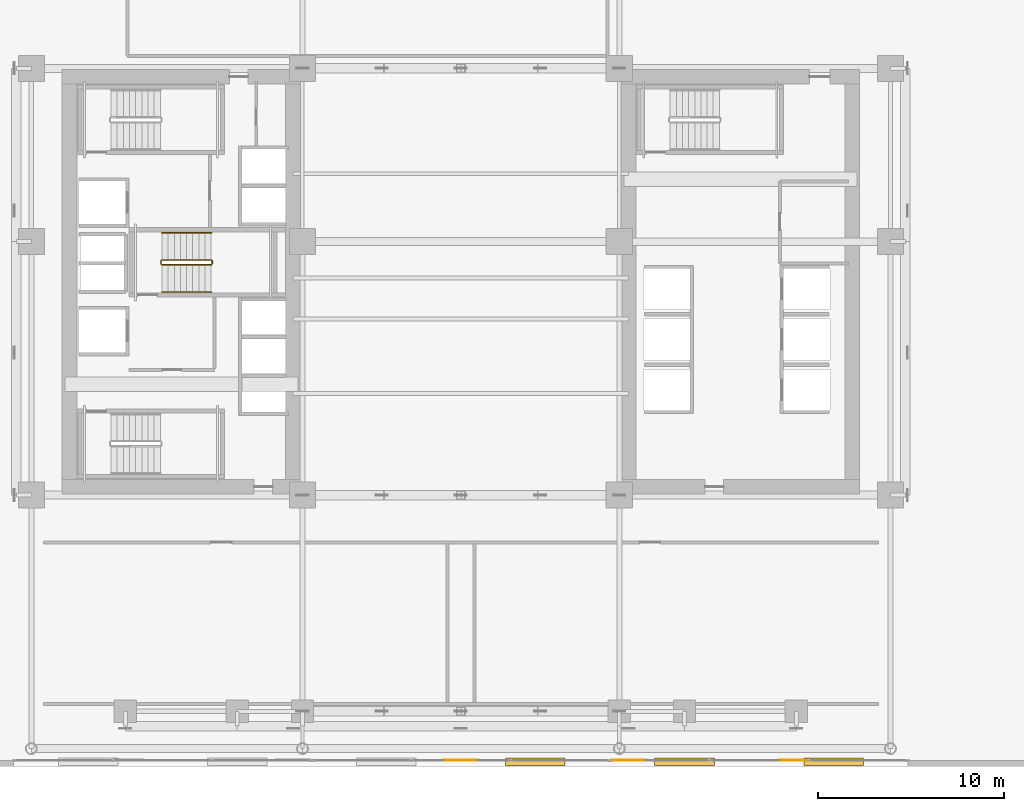
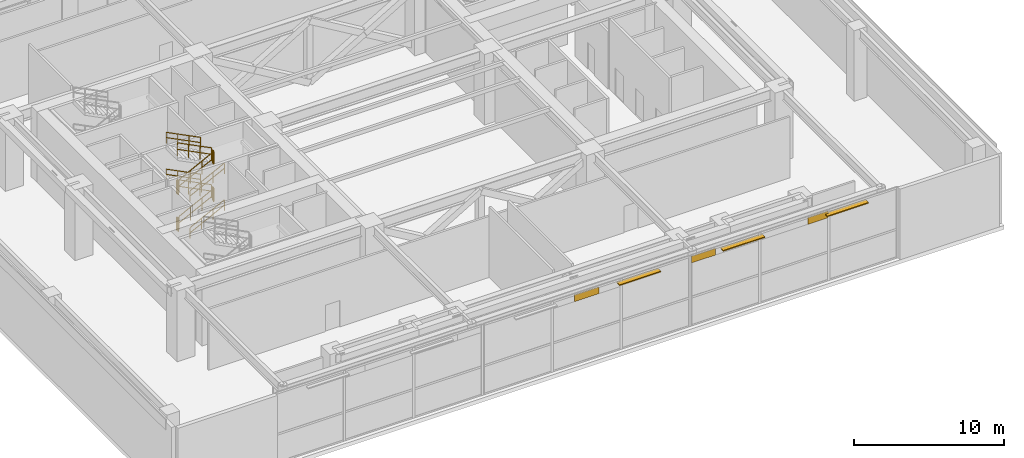
# One storey, part 27 of 29: 12 railings, 3 shading devices, 2 coverings.
"""IFC4 building model written with IfcOpenShell, lengths in metres."""

from ifc_helpers import new_model, si_unit, direction, frame, origin, origin_2d, place, context, subcontext, project, spatial, rectangle, extrude, source, transform, mapped, material, layer, layer_set, type_object, element, save


model = new_model("IFC4")

# Units and contexts
model_context = context("Model", 3, precision=1e-05, world=origin(), true_north=direction((0.0, 1.0)))
body_context = subcontext(model_context, "Body", "Model", "MODEL_VIEW")
ifc_project = project(units=[si_unit("LENGTHUNIT", "METRE"), si_unit("AREAUNIT", "SQUARE_METRE"), si_unit("VOLUMEUNIT", "CUBIC_METRE"), si_unit("PLANEANGLEUNIT", "RADIAN"), si_unit("MASSUNIT", "GRAM", prefix="KILO")], contexts=[model_context])

# Site, building, storey
site_placement = place(None, origin())
site = spatial("IfcSite", under=ifc_project, at=site_placement, CompositionType="ELEMENT")
building_placement = place(site_placement, origin())
building = spatial("IfcBuilding", under=site, at=building_placement, Name="Ocotamira Hotel", CompositionType="ELEMENT")
storey_placement = place(building_placement, frame((0.0, 0.0, 28.800048828125)))
storey = spatial("IfcBuildingStorey", under=building, at=storey_placement, Name="L06", CompositionType="ELEMENT", Elevation=28.800048828125)

# Coverings
ifc_material_1 = material(Name="Insulated pale-metal aluminium spandrel panel", Category="aluminium")
ifc_layer = layer(ifc_material_1, 0.044921875)
ifc_layer_set = layer_set([ifc_layer], Name="Insulated pale-metal aluminium spandrel panel")
covering_type = type_object("IfcCoveringType", Name="COV-INFILL-45", PredefinedType="CLADDING", material=ifc_layer_set)
covering_1_placement = place(storey_placement, origin())
element("IfcCovering", 1, at=covering_1_placement, inside=storey, type_object=covering_type, Name="L06 Curtain Wall Infill CW-5 CW-L06-S2", PredefinedType="CLADDING", context=body_context, shape_type="SweptSolid", body=[
    extrude(rectangle(XDim=1.877197265625, YDim=0.044921875, at=origin_2d()), frame((32.0, 0.320068359375, 5.133544921875), z_axis=(0.0, 0.0, 1.0), x_axis=(1.0, 0.0, 0.0)), (0.0, 0.0, 1.0), 0.541015625),
])
covering_2_placement = place(storey_placement, origin())
element("IfcCovering", 2, at=covering_2_placement, inside=storey, type_object=covering_type, Name="L06 Curtain Wall Infill CW-5 CW-L06-S3", PredefinedType="CLADDING", context=body_context, shape_type="SweptSolid", body=[
    extrude(rectangle(XDim=1.858154296875, YDim=0.044921875, at=origin_2d()), frame((41.009521484375, 0.320068359375, 5.133544921875), z_axis=(0.0, 0.0, 1.0), x_axis=(1.0, 0.0, 0.0)), (0.0, 0.0, 1.0), 0.541015625),
    extrude(rectangle(XDim=1.564697265625, YDim=0.044921875, at=origin_2d()), frame((49.84375, 0.320068359375, 5.133544921875), z_axis=(0.0, 0.0, 1.0), x_axis=(1.0, 0.0, 0.0)), (0.0, 0.0, 1.0), 0.541015625),
])

# Railings
ifc_material_2 = material(Name="Brushed stainless steel handrail", Category="steel")
railing_type_1 = type_object("IfcRailingType", Name="RL-HAND-900", PredefinedType="HANDRAIL", material=ifc_material_2)
railing_1_placement = place(storey_placement, frame((15.9599609375, 25.449951171875, 0.333251953125)))
element("IfcRailing", 3, at=railing_1_placement, inside=storey, type_object=railing_type_1, Name="L06 ST-3 stair handrail 1", PredefinedType="HANDRAIL", context=body_context, shape_type="SweptSolid", body=[
    extrude(rectangle(XDim=0.048095703125, YDim=0.048095703125, at=origin_2d()), frame((0.0, 0.0, 0.8759765625), z_axis=(0.892637119617, 0.0, 0.450775967286), x_axis=(0.0, 1.0, 0.0)), (0.0, 0.0, 1.0), 2.957763671875),
    extrude(rectangle(XDim=0.048095703125, YDim=0.048095703125, at=origin_2d()), frame((0.0, 0.0, 0.449951171875), z_axis=(0.892637119617, 0.0, 0.450775967286), x_axis=(0.0, 1.0, 0.0)), (0.0, 0.0, 1.0), 2.957763671875),
    extrude(rectangle(XDim=0.0419921875, YDim=0.0419921875, at=origin_2d()), origin(), (0.0, 0.0, 1.0), 0.851806640625),
    extrude(rectangle(XDim=0.0419921875, YDim=0.0419921875, at=origin_2d()), frame((0.880126953125, 0.0, 0.4443359375)), (0.0, 0.0, 1.0), 0.851806640625),
    extrude(rectangle(XDim=0.0419921875, YDim=0.0419921875, at=origin_2d()), frame((1.760009765625, 0.0, 0.888916015625)), (0.0, 0.0, 1.0), 0.851806640625),
    extrude(rectangle(XDim=0.0419921875, YDim=0.0419921875, at=origin_2d()), frame((2.64013671875, 0.0, 1.333251953125)), (0.0, 0.0, 1.0), 0.851806640625),
])
railing_2_placement = place(storey_placement, frame((18.60009765625, 28.6298828125, 1.833251953125)))
element("IfcRailing", 4, at=railing_2_placement, inside=storey, type_object=railing_type_1, Name="L06 ST-3 stair handrail 2", PredefinedType="HANDRAIL", context=body_context, shape_type="SweptSolid", body=[
    extrude(rectangle(XDim=0.048095703125, YDim=0.048095703125, at=origin_2d()), frame((0.0, 0.0, 0.8759765625), z_axis=(-0.892637119617, 0.0, 0.450775967286), x_axis=(0.0, -1.0, 0.0)), (0.0, 0.0, 1.0), 2.957763671875),
    extrude(rectangle(XDim=0.048095703125, YDim=0.048095703125, at=origin_2d()), frame((0.0, 0.0, 0.449951171875), z_axis=(-0.892637119617, 0.0, 0.450775967286), x_axis=(0.0, -1.0, 0.0)), (0.0, 0.0, 1.0), 2.957763671875),
    extrude(rectangle(XDim=0.0419921875, YDim=0.0419921875, at=origin_2d()), origin(), (0.0, 0.0, 1.0), 0.851806640625),
    extrude(rectangle(XDim=0.0419921875, YDim=0.0419921875, at=origin_2d()), frame((-0.880126953125, 0.0, 0.4443359375)), (0.0, 0.0, 1.0), 0.851806640625),
    extrude(rectangle(XDim=0.0419921875, YDim=0.0419921875, at=origin_2d()), frame((-1.760009765625, 0.0, 0.888916015625)), (0.0, 0.0, 1.0), 0.851806640625),
    extrude(rectangle(XDim=0.0419921875, YDim=0.0419921875, at=origin_2d()), frame((-2.64013671875, 0.0, 1.333251953125)), (0.0, 0.0, 1.0), 0.851806640625),
])
railing_3_placement = place(storey_placement, frame((15.9599609375, 25.449951171875, 3.333251953125)))
element("IfcRailing", 5, at=railing_3_placement, inside=storey, type_object=railing_type_1, Name="L06 ST-3 stair handrail 3", PredefinedType="HANDRAIL", context=body_context, shape_type="SweptSolid", body=[
    extrude(rectangle(XDim=0.048095703125, YDim=0.048095703125, at=origin_2d()), frame((0.0, 0.0, 0.8759765625), z_axis=(0.892637119617, 0.0, 0.450775967286), x_axis=(0.0, 1.0, 0.0)), (0.0, 0.0, 1.0), 2.957763671875),
    extrude(rectangle(XDim=0.048095703125, YDim=0.048095703125, at=origin_2d()), frame((0.0, 0.0, 0.449951171875), z_axis=(0.892637119617, 0.0, 0.450775967286), x_axis=(0.0, 1.0, 0.0)), (0.0, 0.0, 1.0), 2.957763671875),
    extrude(rectangle(XDim=0.0419921875, YDim=0.0419921875, at=origin_2d()), origin(), (0.0, 0.0, 1.0), 0.851806640625),
    extrude(rectangle(XDim=0.0419921875, YDim=0.0419921875, at=origin_2d()), frame((0.880126953125, 0.0, 0.4443359375)), (0.0, 0.0, 1.0), 0.851806640625),
    extrude(rectangle(XDim=0.0419921875, YDim=0.0419921875, at=origin_2d()), frame((1.760009765625, 0.0, 0.888916015625)), (0.0, 0.0, 1.0), 0.851806640625),
    extrude(rectangle(XDim=0.0419921875, YDim=0.0419921875, at=origin_2d()), frame((2.64013671875, 0.0, 1.333251953125)), (0.0, 0.0, 1.0), 0.851806640625),
])
railing_4_placement = place(storey_placement, frame((18.60009765625, 28.6298828125, 4.833251953125)))
element("IfcRailing", 6, at=railing_4_placement, inside=storey, type_object=railing_type_1, Name="L06 ST-3 stair handrail 4", PredefinedType="HANDRAIL", context=body_context, shape_type="SweptSolid", body=[
    extrude(rectangle(XDim=0.048095703125, YDim=0.048095703125, at=origin_2d()), frame((0.0, 0.0, 0.8759765625), z_axis=(-0.892637119617, 0.0, 0.450775967286), x_axis=(0.0, -1.0, 0.0)), (0.0, 0.0, 1.0), 2.957763671875),
    extrude(rectangle(XDim=0.048095703125, YDim=0.048095703125, at=origin_2d()), frame((0.0, 0.0, 0.449951171875), z_axis=(-0.892637119617, 0.0, 0.450775967286), x_axis=(0.0, -1.0, 0.0)), (0.0, 0.0, 1.0), 2.957763671875),
    extrude(rectangle(XDim=0.0419921875, YDim=0.0419921875, at=origin_2d()), origin(), (0.0, 0.0, 1.0), 0.851806640625),
    extrude(rectangle(XDim=0.0419921875, YDim=0.0419921875, at=origin_2d()), frame((-0.880126953125, 0.0, 0.4443359375)), (0.0, 0.0, 1.0), 0.851806640625),
    extrude(rectangle(XDim=0.0419921875, YDim=0.0419921875, at=origin_2d()), frame((-1.760009765625, 0.0, 0.888916015625)), (0.0, 0.0, 1.0), 0.851806640625),
    extrude(rectangle(XDim=0.0419921875, YDim=0.0419921875, at=origin_2d()), frame((-2.64013671875, 0.0, 1.333251953125)), (0.0, 0.0, 1.0), 0.851806640625),
])
ifc_material_3 = material(Name="Painted steel stair guardrail", Category="steel")
railing_type_2 = type_object("IfcRailingType", Name="RL-STAIR-1100", PredefinedType="GUARDRAIL", material=ifc_material_3)
railing_5_placement = place(storey_placement, frame((15.9599609375, 26.909912109375, 0.16650390625)))
element("IfcRailing", 7, at=railing_5_placement, inside=storey, type_object=railing_type_2, Name="L06 ST-3 stair guard 1", PredefinedType="GUARDRAIL", context=body_context, shape_type="SweptSolid", body=[
    extrude(rectangle(XDim=0.048095703125, YDim=0.048095703125, at=origin_2d()), frame((0.0, 0.0, 1.076171875), z_axis=(0.892603904193, 0.0, 0.450841735223), x_axis=(0.0, 1.0, 0.0)), (0.0, 0.0, 1.0), 2.957763671875),
    extrude(rectangle(XDim=0.048095703125, YDim=0.048095703125, at=origin_2d()), frame((0.0, 0.0, 0.550048828125), z_axis=(0.892603904193, 0.0, 0.450841735223), x_axis=(0.0, 1.0, 0.0)), (0.0, 0.0, 1.0), 2.957763671875),
    extrude(rectangle(XDim=0.0419921875, YDim=0.0419921875, at=origin_2d()), origin(), (0.0, 0.0, 1.0), 1.052001953125),
    extrude(rectangle(XDim=0.0419921875, YDim=0.0419921875, at=origin_2d()), frame((0.880126953125, 0.0, 0.444580078125)), (0.0, 0.0, 1.0), 1.052001953125),
    extrude(rectangle(XDim=0.0419921875, YDim=0.0419921875, at=origin_2d()), frame((1.760009765625, 0.0, 0.888916015625)), (0.0, 0.0, 1.0), 1.052001953125),
    extrude(rectangle(XDim=0.0419921875, YDim=0.0419921875, at=origin_2d()), frame((2.64013671875, 0.0, 1.33349609375)), (0.0, 0.0, 1.0), 1.052001953125),
])
railing_6_placement = place(storey_placement, frame((18.64990234375, 26.9599609375, 1.5)))
element("IfcRailing", 8, at=railing_6_placement, inside=storey, type_object=railing_type_2, Name="L06 ST-3 stair guard 2", PredefinedType="GUARDRAIL", context=body_context, shape_type="SweptSolid", body=[
    extrude(rectangle(XDim=0.048095703125, YDim=0.048095703125, at=origin_2d()), frame((0.0, 0.0, 1.076171875), z_axis=(0.0, 1.0, 0.0), x_axis=(-1.0, 0.0, 0.0)), (0.0, 0.0, 1.0), 0.16015625),
    extrude(rectangle(XDim=0.048095703125, YDim=0.048095703125, at=origin_2d()), frame((0.0, 0.0, 0.550048828125), z_axis=(0.0, 1.0, 0.0), x_axis=(-1.0, 0.0, 0.0)), (0.0, 0.0, 1.0), 0.16015625),
    extrude(rectangle(XDim=0.0419921875, YDim=0.0419921875, at=origin_2d()), origin(), (0.0, 0.0, 1.0), 1.052001953125),
    extrude(rectangle(XDim=0.0419921875, YDim=0.0419921875, at=origin_2d()), frame((0.0, 0.16015625, 0.0)), (0.0, 0.0, 1.0), 1.052001953125),
])
railing_7_placement = place(storey_placement, frame((18.60009765625, 27.169921875, 1.66650390625)))
element("IfcRailing", 9, at=railing_7_placement, inside=storey, type_object=railing_type_2, Name="L06 ST-3 stair guard 3", PredefinedType="GUARDRAIL", context=body_context, shape_type="SweptSolid", body=[
    extrude(rectangle(XDim=0.048095703125, YDim=0.048095703125, at=origin_2d()), frame((0.0, 0.0, 1.076171875), z_axis=(-0.892603904193, 0.0, 0.450841735223), x_axis=(0.0, -1.0, 0.0)), (0.0, 0.0, 1.0), 2.957763671875),
    extrude(rectangle(XDim=0.048095703125, YDim=0.048095703125, at=origin_2d()), frame((0.0, 0.0, 0.550048828125), z_axis=(-0.892603904193, 0.0, 0.450841735223), x_axis=(0.0, -1.0, 0.0)), (0.0, 0.0, 1.0), 2.957763671875),
    extrude(rectangle(XDim=0.0419921875, YDim=0.0419921875, at=origin_2d()), origin(), (0.0, 0.0, 1.0), 1.052001953125),
    extrude(rectangle(XDim=0.0419921875, YDim=0.0419921875, at=origin_2d()), frame((-0.880126953125, 0.0, 0.444580078125)), (0.0, 0.0, 1.0), 1.052001953125),
    extrude(rectangle(XDim=0.0419921875, YDim=0.0419921875, at=origin_2d()), frame((-1.760009765625, 0.0, 0.888916015625)), (0.0, 0.0, 1.0), 1.052001953125),
    extrude(rectangle(XDim=0.0419921875, YDim=0.0419921875, at=origin_2d()), frame((-2.64013671875, 0.0, 1.33349609375)), (0.0, 0.0, 1.0), 1.052001953125),
])
railing_8_placement = place(storey_placement, frame((15.909912109375, 26.9599609375, 3.0)))
element("IfcRailing", 10, at=railing_8_placement, inside=storey, type_object=railing_type_2, Name="L06 ST-3 stair guard 4", PredefinedType="GUARDRAIL", context=body_context, shape_type="SweptSolid", body=[
    extrude(rectangle(XDim=0.048095703125, YDim=0.048095703125, at=origin_2d()), frame((0.0, 0.0, 1.076171875), z_axis=(0.0, 1.0, 0.0), x_axis=(-1.0, 0.0, 0.0)), (0.0, 0.0, 1.0), 0.16015625),
    extrude(rectangle(XDim=0.048095703125, YDim=0.048095703125, at=origin_2d()), frame((0.0, 0.0, 0.550048828125), z_axis=(0.0, 1.0, 0.0), x_axis=(-1.0, 0.0, 0.0)), (0.0, 0.0, 1.0), 0.16015625),
    extrude(rectangle(XDim=0.0419921875, YDim=0.0419921875, at=origin_2d()), origin(), (0.0, 0.0, 1.0), 1.052001953125),
    extrude(rectangle(XDim=0.0419921875, YDim=0.0419921875, at=origin_2d()), frame((0.0, 0.16015625, 0.0)), (0.0, 0.0, 1.0), 1.052001953125),
])
railing_9_placement = place(storey_placement, frame((15.9599609375, 26.909912109375, 3.16650390625)))
element("IfcRailing", 11, at=railing_9_placement, inside=storey, type_object=railing_type_2, Name="L06 ST-3 stair guard 5", PredefinedType="GUARDRAIL", context=body_context, shape_type="SweptSolid", body=[
    extrude(rectangle(XDim=0.048095703125, YDim=0.048095703125, at=origin_2d()), frame((0.0, 0.0, 1.076171875), z_axis=(0.892603904193, 0.0, 0.450841735223), x_axis=(0.0, 1.0, 0.0)), (0.0, 0.0, 1.0), 2.957763671875),
    extrude(rectangle(XDim=0.048095703125, YDim=0.048095703125, at=origin_2d()), frame((0.0, 0.0, 0.550048828125), z_axis=(0.892603904193, 0.0, 0.450841735223), x_axis=(0.0, 1.0, 0.0)), (0.0, 0.0, 1.0), 2.957763671875),
    extrude(rectangle(XDim=0.0419921875, YDim=0.0419921875, at=origin_2d()), origin(), (0.0, 0.0, 1.0), 1.052001953125),
    extrude(rectangle(XDim=0.0419921875, YDim=0.0419921875, at=origin_2d()), frame((0.880126953125, 0.0, 0.444580078125)), (0.0, 0.0, 1.0), 1.052001953125),
    extrude(rectangle(XDim=0.0419921875, YDim=0.0419921875, at=origin_2d()), frame((1.760009765625, 0.0, 0.888916015625)), (0.0, 0.0, 1.0), 1.052001953125),
    extrude(rectangle(XDim=0.0419921875, YDim=0.0419921875, at=origin_2d()), frame((2.64013671875, 0.0, 1.33349609375)), (0.0, 0.0, 1.0), 1.052001953125),
])
railing_10_placement = place(storey_placement, frame((18.64990234375, 26.9599609375, 4.5)))
element("IfcRailing", 12, at=railing_10_placement, inside=storey, type_object=railing_type_2, Name="L06 ST-3 stair guard 6", PredefinedType="GUARDRAIL", context=body_context, shape_type="SweptSolid", body=[
    extrude(rectangle(XDim=0.048095703125, YDim=0.048095703125, at=origin_2d()), frame((0.0, 0.0, 1.076171875), z_axis=(0.0, 1.0, 0.0), x_axis=(-1.0, 0.0, 0.0)), (0.0, 0.0, 1.0), 0.16015625),
    extrude(rectangle(XDim=0.048095703125, YDim=0.048095703125, at=origin_2d()), frame((0.0, 0.0, 0.550048828125), z_axis=(0.0, 1.0, 0.0), x_axis=(-1.0, 0.0, 0.0)), (0.0, 0.0, 1.0), 0.16015625),
    extrude(rectangle(XDim=0.0419921875, YDim=0.0419921875, at=origin_2d()), origin(), (0.0, 0.0, 1.0), 1.052001953125),
    extrude(rectangle(XDim=0.0419921875, YDim=0.0419921875, at=origin_2d()), frame((0.0, 0.16015625, 0.0)), (0.0, 0.0, 1.0), 1.052001953125),
])
railing_11_placement = place(storey_placement, frame((18.60009765625, 27.169921875, 4.66650390625)))
element("IfcRailing", 13, at=railing_11_placement, inside=storey, type_object=railing_type_2, Name="L06 ST-3 stair guard 7", PredefinedType="GUARDRAIL", context=body_context, shape_type="SweptSolid", body=[
    extrude(rectangle(XDim=0.048095703125, YDim=0.048095703125, at=origin_2d()), frame((0.0, 0.0, 1.076171875), z_axis=(-0.892603904193, 0.0, 0.450841735223), x_axis=(0.0, -1.0, 0.0)), (0.0, 0.0, 1.0), 2.957763671875),
    extrude(rectangle(XDim=0.048095703125, YDim=0.048095703125, at=origin_2d()), frame((0.0, 0.0, 0.550048828125), z_axis=(-0.892603904193, 0.0, 0.450841735223), x_axis=(0.0, -1.0, 0.0)), (0.0, 0.0, 1.0), 2.957763671875),
    extrude(rectangle(XDim=0.0419921875, YDim=0.0419921875, at=origin_2d()), origin(), (0.0, 0.0, 1.0), 1.052001953125),
    extrude(rectangle(XDim=0.0419921875, YDim=0.0419921875, at=origin_2d()), frame((-0.880126953125, 0.0, 0.444580078125)), (0.0, 0.0, 1.0), 1.052001953125),
    extrude(rectangle(XDim=0.0419921875, YDim=0.0419921875, at=origin_2d()), frame((-1.760009765625, 0.0, 0.888916015625)), (0.0, 0.0, 1.0), 1.052001953125),
    extrude(rectangle(XDim=0.0419921875, YDim=0.0419921875, at=origin_2d()), frame((-2.64013671875, 0.0, 1.33349609375)), (0.0, 0.0, 1.0), 1.052001953125),
])
railing_12_placement = place(storey_placement, frame((15.909912109375, 26.9599609375, 0.0)))
element("IfcRailing", 14, at=railing_12_placement, inside=storey, type_object=railing_type_2, Name="L06 ST-3 stair guard 8", PredefinedType="GUARDRAIL", context=body_context, shape_type="SweptSolid", body=[
    extrude(rectangle(XDim=0.048095703125, YDim=0.048095703125, at=origin_2d()), frame((0.0, 0.0, 1.076171875), z_axis=(0.0, 1.0, 0.0), x_axis=(-1.0, 0.0, 0.0)), (0.0, 0.0, 1.0), 0.16015625),
    extrude(rectangle(XDim=0.048095703125, YDim=0.048095703125, at=origin_2d()), frame((0.0, 0.0, 0.550048828125), z_axis=(0.0, 1.0, 0.0), x_axis=(-1.0, 0.0, 0.0)), (0.0, 0.0, 1.0), 0.16015625),
    extrude(rectangle(XDim=0.0419921875, YDim=0.0419921875, at=origin_2d()), origin(), (0.0, 0.0, 1.0), 1.052001953125),
    extrude(rectangle(XDim=0.0419921875, YDim=0.0419921875, at=origin_2d()), frame((0.0, 0.16015625, 0.0)), (0.0, 0.0, 1.0), 1.052001953125),
])

# Shading devices
ifc_material_4 = material(Name="Pale-metal anodised aluminium solar louvre", Category="aluminium")
shading_device_type = type_object("IfcShadingDeviceType", Name="SHD-LOUV-400", PredefinedType="JALOUSIE", material=ifc_material_4)
shared_shape = source(origin(), body_context, "Body", "SweptSolid", [
    extrude(rectangle(XDim=3.199951171875, YDim=0.39990234375, at=origin_2d()), origin(), (0.0, 0.0, 1.0), 0.080078125),
])
for number, where, z_axis, x_axis, name in (
    (15, (36.0, 0.25, 5.409912109375), (0.0, 0.0, 1.0), (1.0, 0.0, 0.0), "L06 Podium Solar Louvre S4"),
    (16, (44.0, 0.25, 5.409912109375), (0.0, 0.0, 1.0), (1.0, 0.0, 0.0), "L06 Podium Solar Louvre S5"),
    (17, (52.0, 0.25, 5.409912109375), (0.0, 0.0, 1.0), (1.0, 0.0, 0.0), "L06 Podium Solar Louvre S6"),
):
    element("IfcShadingDevice", number, at=place(storey_placement, frame(where, z_axis=z_axis, x_axis=x_axis)), inside=storey, type_object=shading_device_type, Name=name, PredefinedType="JALOUSIE", context=body_context, shape_type="MappedRepresentation", body=[
        mapped(shared_shape, transform((0.0, 0.0, 0.0), scale=1.0)),
    ])

save(model, "model.ifc")
